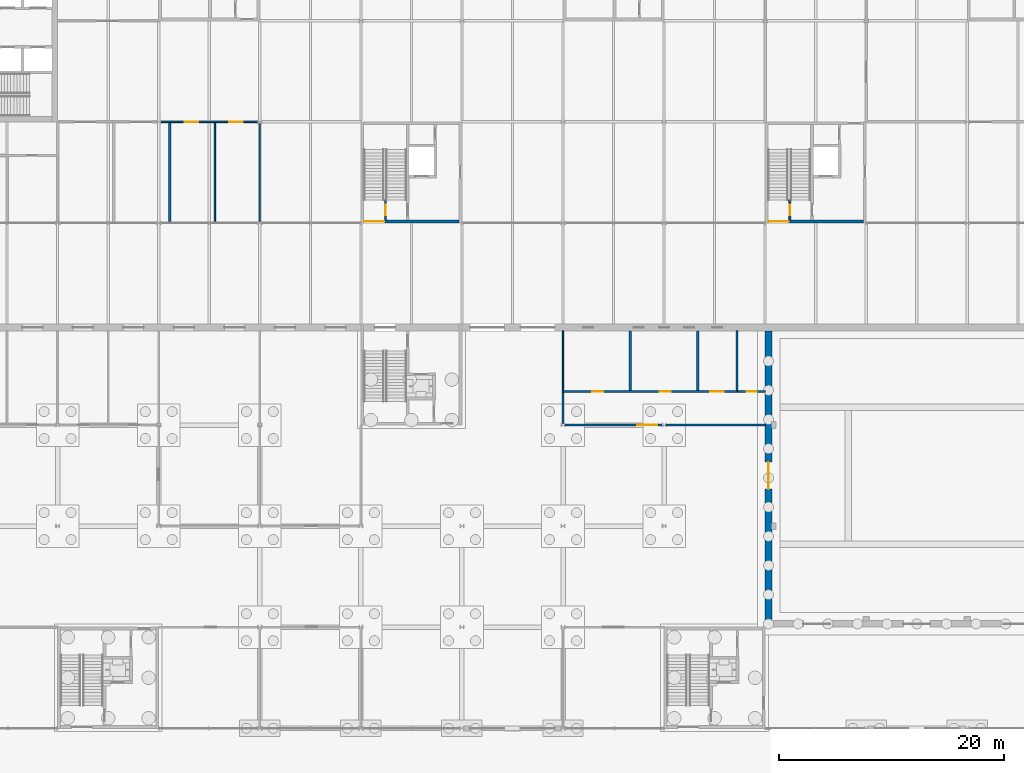
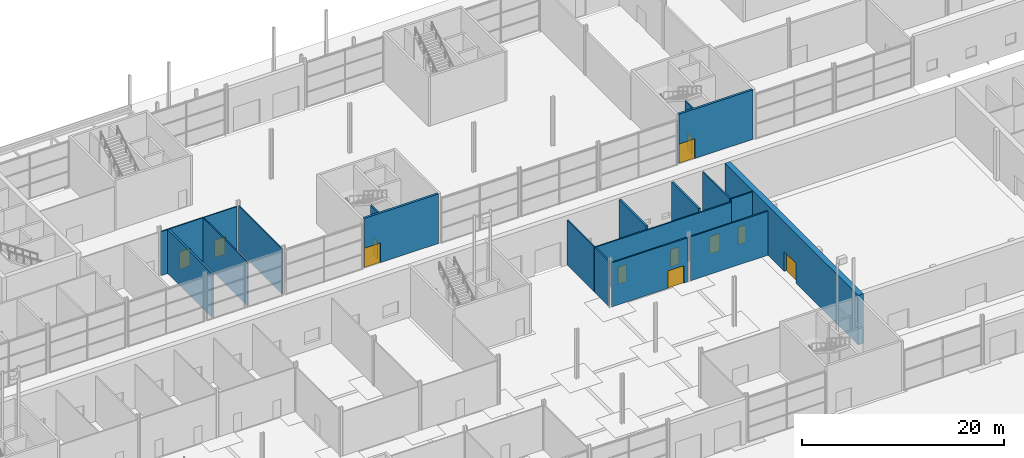
# One storey, part 71 of 97: 18 walls, 12 doors, 12 openings.
"""IFC4 building model written with IfcOpenShell, lengths in metres."""

from ifc_helpers import new_model, si_unit, direction, frame, frame_2d, origin, place, context, subcontext, project, spatial, rectangle, extrude, material, layer, layer_set, type_object, element, fill, save


model = new_model("IFC4")

# Units and contexts
model_context = context("Model", 3, precision=1e-05, world=origin(), true_north=direction((0.0, 1.0)))
body_context = subcontext(model_context, "Body", "Model", "MODEL_VIEW")
ifc_project = project(units=[si_unit("LENGTHUNIT", "METRE"), si_unit("AREAUNIT", "SQUARE_METRE"), si_unit("VOLUMEUNIT", "CUBIC_METRE"), si_unit("PLANEANGLEUNIT", "RADIAN"), si_unit("MASSUNIT", "GRAM", prefix="KILO")], contexts=[model_context])

# Site, building, storey
site_placement = place(None, origin())
site = spatial("IfcSite", under=ifc_project, at=site_placement, CompositionType="ELEMENT")
building_placement = place(site_placement, origin())
building = spatial("IfcBuilding", under=site, at=building_placement, Name="Corbel Yard City Hall", CompositionType="ELEMENT")
storey_placement = place(building_placement, origin())
storey = spatial("IfcBuildingStorey", under=building, at=storey_placement, Name="L00", CompositionType="ELEMENT", Elevation=0.0)

# Wall, opening, door
ifc_material_1 = material(Name="Concrete N50 (50 MPa)", Category="concrete")
ifc_layer_1 = layer(ifc_material_1, 0.60009765625)
ifc_layer_set_1 = layer_set([ifc_layer_1], Name="Concrete N50 (50 MPa)")
wall_type_1 = type_object("IfcWallType", Name="Chamber wall 600", PredefinedType="SHEAR", material=ifc_layer_set_1)
wall_1_placement = place(storey_placement, frame((117.300048828125, 54.0, 0.0), z_axis=(0.0, 0.0, 1.0), x_axis=(0.0, 1.0, 0.0)))
wall_1 = element("IfcWall", 1, at=wall_1_placement, inside=storey, type_object=wall_type_1, Name="Chamber west wall", PredefinedType="SHEAR", context=body_context, shape_type="SweptSolid", body=[
    extrude(rectangle(XDim=26.39990234375, YDim=0.60009765625, at=frame_2d((13.199951171875, 0.0))), origin(), (0.0, 0.0, 1.0), 6.0),
])
opening_1_placement = place(wall_1_placement, frame((12.300048828125, 0.0, 0.0)))
opening_1 = element("IfcOpeningElement", 2, at=opening_1_placement, cuts=wall_1, Name="Opening L00-165", PredefinedType="OPENING", context=body_context, shape_type="SweptSolid", body=[
    extrude(rectangle(XDim=2.39990234375, YDim=2.39990234375, at=frame_2d((1.199951171875, 1.199951171875))), frame((0.0, 0.31005859375, 0.0), z_axis=(0.0, -1.0, 0.0), x_axis=(1.0, 0.0, 0.0)), (0.0, 0.0, 1.0), 0.6201171875),
])
ifc_material_2 = material(Name="Steel Grade G250", Category="steel")
door_type_1 = type_object("IfcDoorType", Name="FS9", OperationType="DOUBLE_DOOR_SINGLE_SWING", PredefinedType="DOOR", material=ifc_material_2)
door_1_placement = place(opening_1_placement, origin())
door_1 = element("IfcDoor", 3, at=door_1_placement, inside=storey, type_object=door_type_1, Name="Door Council Chamber West Aisle", OperationType="DOUBLE_DOOR_SINGLE_SWING", OverallHeight=2.39990234375, OverallWidth=2.39990234375, PredefinedType="DOOR", context=body_context, shape_type="SweptSolid", body=[
    extrude(rectangle(XDim=2.39990234375, YDim=2.39990234375, at=frame_2d((1.199951171875, 1.199951171875))), frame((0.0, 0.02490234375, 0.0), z_axis=(0.0, -1.0, 0.0), x_axis=(1.0, 0.0, 0.0)), (0.0, 0.0, 1.0), 0.050048828125),
])
fill(opening_1, door_1)

ifc_layer_2 = layer(ifc_material_1, 0.25)
ifc_layer_set_2 = layer_set([ifc_layer_2], Name="Concrete N50 (50 MPa)")
wall_type_2 = type_object("IfcWallType", Name="Core cell wall 250", PredefinedType="SHEAR", material=ifc_layer_set_2)
wall_2_placement = place(storey_placement, frame((81.25, 90.125, 0.0), z_axis=(0.0, 0.0, 1.0), x_axis=(1.0, 0.0, 0.0)))
wall_2 = element("IfcWall", 4, at=wall_2_placement, inside=storey, type_object=wall_type_2, Name="Core PC-N5 south wall", PredefinedType="SHEAR", context=body_context, shape_type="SweptSolid", body=[
    extrude(rectangle(XDim=8.5, YDim=0.25, at=frame_2d((4.25, 0.0))), origin(), (0.0, 0.0, 1.0), 6.0),
])
opening_2_placement = place(wall_2_placement, frame((0.050048828125, 0.0, 0.0)))
opening_2 = element("IfcOpeningElement", 5, at=opening_2_placement, cuts=wall_2, Name="Opening L00-049", PredefinedType="OPENING", context=body_context, shape_type="SweptSolid", body=[
    extrude(rectangle(XDim=1.800048828125, YDim=2.39990234375, at=frame_2d((0.89990234375, 1.199951171875))), frame((0.0, 0.135009765625, 0.0), z_axis=(0.0, -1.0, 0.0), x_axis=(1.0, 0.0, 0.0)), (0.0, 0.0, 1.0), 0.27001953125),
])
ifc_material_3 = material(Name="Steel Grade G250, insulated infill", Category="steel")
door_type_2 = type_object("IfcDoorType", Name="XD2", OperationType="DOUBLE_DOOR_SINGLE_SWING", PredefinedType="DOOR", material=ifc_material_3)
door_2_placement = place(opening_2_placement, frame((1.800048828125, 0.0, 0.0), z_axis=(0.0, 0.0, 1.0), x_axis=(-1.0, 0.0, 0.0)))
door_2 = element("IfcDoor", 6, at=door_2_placement, inside=storey, type_object=door_type_2, Name="Stair exit door PC-N5", OperationType="DOUBLE_DOOR_SINGLE_SWING", OverallHeight=2.39990234375, OverallWidth=1.800048828125, PredefinedType="DOOR", context=body_context, shape_type="SweptSolid", body=[
    extrude(rectangle(XDim=1.800048828125, YDim=2.39990234375, at=frame_2d((0.89990234375, 1.199951171875))), frame((0.0, 0.02490234375, 0.0), z_axis=(0.0, -1.0, 0.0), x_axis=(1.0, 0.0, 0.0)), (0.0, 0.0, 1.0), 0.050048828125),
])
fill(opening_2, door_2)

wall_3_placement = place(storey_placement, frame((117.25, 90.125, 0.0), z_axis=(0.0, 0.0, 1.0), x_axis=(1.0, 0.0, 0.0)))
wall_3 = element("IfcWall", 7, at=wall_3_placement, inside=storey, type_object=wall_type_2, Name="Core PC-N6 south wall", PredefinedType="SHEAR", context=body_context, shape_type="SweptSolid", body=[
    extrude(rectangle(XDim=8.5, YDim=0.25, at=frame_2d((4.25, 0.0))), origin(), (0.0, 0.0, 1.0), 6.0),
])
opening_3_placement = place(wall_3_placement, frame((0.050048828125, 0.0, 0.0)))
opening_3 = element("IfcOpeningElement", 8, at=opening_3_placement, cuts=wall_3, Name="Opening L00-050", PredefinedType="OPENING", context=body_context, shape_type="SweptSolid", body=[
    extrude(rectangle(XDim=1.800048828125, YDim=2.39990234375, at=frame_2d((0.89990234375, 1.199951171875))), frame((0.0, 0.135009765625, 0.0), z_axis=(0.0, -1.0, 0.0), x_axis=(1.0, 0.0, 0.0)), (0.0, 0.0, 1.0), 0.27001953125),
])
door_3_placement = place(opening_3_placement, frame((1.800048828125, 0.0, 0.0), z_axis=(0.0, 0.0, 1.0), x_axis=(-1.0, 0.0, 0.0)))
door_3 = element("IfcDoor", 9, at=door_3_placement, inside=storey, type_object=door_type_2, Name="Stair exit door PC-N6", OperationType="DOUBLE_DOOR_SINGLE_SWING", OverallHeight=2.39990234375, OverallWidth=1.800048828125, PredefinedType="DOOR", context=body_context, shape_type="SweptSolid", body=[
    extrude(rectangle(XDim=1.800048828125, YDim=2.39990234375, at=frame_2d((0.89990234375, 1.199951171875))), frame((0.0, 0.02490234375, 0.0), z_axis=(0.0, -1.0, 0.0), x_axis=(1.0, 0.0, 0.0)), (0.0, 0.0, 1.0), 0.050048828125),
])
fill(opening_3, door_3)

# Wall
ifc_material_4 = material(Name="Gypsum plasterboard", Category="gypsum")
ifc_layer_3 = layer(ifc_material_4, 0.028076171875)
ifc_material_5 = material(Name="Steel Grade G550 (550 MPa yield)", Category="steel")
ifc_layer_4 = layer(ifc_material_5, 0.06396484375)
ifc_layer_5 = layer(ifc_material_4, 0.028076171875)
ifc_layer_set_3 = layer_set([ifc_layer_3, ifc_layer_4, ifc_layer_5], Name="Steel Grade G550 (550 MPa yield)")
wall_type_3 = type_object("IfcWallType", Name="PT1", PredefinedType="PARTITIONING", material=ifc_layer_set_3)
wall_4_placement = place(storey_placement, frame((99.0, 75.080078125, 0.0), z_axis=(0.0, 0.0, 1.0), x_axis=(0.0, 1.0, 0.0)))
element("IfcWall", 10, at=wall_4_placement, inside=storey, type_object=wall_type_3, Name="Partition", PredefinedType="PARTITIONING", context=body_context, shape_type="SweptSolid", body=[
    extrude(rectangle(XDim=5.31982421875, YDim=0.1201171875, at=frame_2d((2.659912109375, 0.0))), origin(), (0.0, 0.0, 1.0), 5.447021484375),
])

# Wall, openings, doors
wall_5_placement = place(storey_placement, frame((63.16357421875, 99.0, 0.0), z_axis=(0.0, 0.0, 1.0), x_axis=(1.0, 0.0, 0.0)))
wall_5 = element("IfcWall", 11, at=wall_5_placement, inside=storey, type_object=wall_type_3, Name="Partition", PredefinedType="PARTITIONING", context=body_context, shape_type="SweptSolid", body=[
    extrude(rectangle(XDim=8.6728515625, YDim=0.1201171875, at=frame_2d((4.33642578125, 0.0))), origin(), (0.0, 0.0, 1.0), 5.322021484375),
])
opening_4_placement = place(wall_5_placement, frame((2.136474609375, 0.0, 0.0)))
opening_4 = element("IfcOpeningElement", 12, at=opening_4_placement, cuts=wall_5, Name="Opening L00-227", PredefinedType="OPENING", context=body_context, shape_type="SweptSolid", body=[
    extrude(rectangle(XDim=1.199951171875, YDim=2.10009765625, at=frame_2d((0.60009765625, 1.050048828125))), frame((0.0, 0.070068359375, 0.0), z_axis=(0.0, -1.0, 0.0), x_axis=(1.0, 0.0, 0.0)), (0.0, 0.0, 1.0), 0.14013671875),
])
opening_5_placement = place(wall_5_placement, frame((6.136474609375, 0.0, 0.0)))
opening_5 = element("IfcOpeningElement", 13, at=opening_5_placement, cuts=wall_5, Name="Opening L00-228", PredefinedType="OPENING", context=body_context, shape_type="SweptSolid", body=[
    extrude(rectangle(XDim=1.199951171875, YDim=2.10009765625, at=frame_2d((0.60009765625, 1.050048828125))), frame((0.0, 0.070068359375, 0.0), z_axis=(0.0, -1.0, 0.0), x_axis=(1.0, 0.0, 0.0)), (0.0, 0.0, 1.0), 0.14013671875),
])
ifc_material_6 = material(Name="Timber", Category="wood")
door_type_3 = type_object("IfcDoorType", Name="D7", OperationType="SINGLE_SWING_LEFT", PredefinedType="DOOR", material=ifc_material_6)
door_4_placement = place(opening_4_placement, frame((1.199951171875, 0.0, 0.0), z_axis=(0.0, 0.0, 1.0), x_axis=(-1.0, 0.0, 0.0)))
door_4 = element("IfcDoor", 14, at=door_4_placement, inside=storey, type_object=door_type_3, Name="Door Public Accessible WC", OperationType="SINGLE_SWING_RIGHT", OverallHeight=2.10009765625, OverallWidth=1.199951171875, PredefinedType="DOOR", context=body_context, shape_type="SweptSolid", body=[
    extrude(rectangle(XDim=1.199951171875, YDim=2.10009765625, at=frame_2d((0.60009765625, 1.050048828125))), frame((0.0, 0.02490234375, 0.0), z_axis=(0.0, -1.0, 0.0), x_axis=(1.0, 0.0, 0.0)), (0.0, 0.0, 1.0), 0.050048828125),
])
fill(opening_4, door_4)
door_5_placement = place(opening_5_placement, frame((1.199951171875, 0.0, 0.0), z_axis=(0.0, 0.0, 1.0), x_axis=(-1.0, 0.0, 0.0)))
door_5 = element("IfcDoor", 15, at=door_5_placement, inside=storey, type_object=door_type_3, Name="Door Parents' Room", OperationType="SINGLE_SWING_RIGHT", OverallHeight=2.10009765625, OverallWidth=1.199951171875, PredefinedType="DOOR", context=body_context, shape_type="SweptSolid", body=[
    extrude(rectangle(XDim=1.199951171875, YDim=2.10009765625, at=frame_2d((0.60009765625, 1.050048828125))), frame((0.0, 0.02490234375, 0.0), z_axis=(0.0, -1.0, 0.0), x_axis=(1.0, 0.0, 0.0)), (0.0, 0.0, 1.0), 0.050048828125),
])
fill(opening_5, door_5)

# Walls
wall_6_placement = place(storey_placement, frame((68.0, 90.125, 0.0), z_axis=(0.0, 0.0, 1.0), x_axis=(0.0, 1.0, 0.0)))
element("IfcWall", 16, at=wall_6_placement, inside=storey, type_object=wall_type_3, Name="Partition", PredefinedType="PARTITIONING", context=body_context, shape_type="SweptSolid", body=[
    extrude(rectangle(XDim=8.81494140625, YDim=0.1201171875, at=frame_2d((4.407470703125, 0.0))), origin(), (0.0, 0.0, 1.0), 5.322021484375),
])
wall_7_placement = place(storey_placement, frame((72.0, 90.157470703125, 0.0), z_axis=(0.0, 0.0, 1.0), x_axis=(0.0, 1.0, 0.0)))
element("IfcWall", 17, at=wall_7_placement, inside=storey, type_object=wall_type_3, Name="Partition", PredefinedType="PARTITIONING", context=body_context, shape_type="SweptSolid", body=[
    extrude(rectangle(XDim=8.678955078125, YDim=0.1201171875, at=frame_2d((4.33935546875, 0.0))), origin(), (0.0, 0.0, 1.0), 5.447021484375),
])

# Wall, opening, door
ifc_layer_6 = layer(ifc_material_4, 0.031982421875)
ifc_layer_7 = layer(ifc_material_5, 0.095947265625)
ifc_layer_8 = layer(ifc_material_4, 0.031982421875)
ifc_layer_set_4 = layer_set([ifc_layer_6, ifc_layer_7, ifc_layer_8], Name="Steel Grade G550 (550 MPa yield)")
wall_type_4 = type_object("IfcWallType", Name="PT3", PredefinedType="PARTITIONING", material=ifc_layer_set_4)
wall_8_placement = place(storey_placement, frame((99.16357421875, 72.0, 0.0), z_axis=(0.0, 0.0, 1.0), x_axis=(1.0, 0.0, 0.0)))
wall_8 = element("IfcWall", 18, at=wall_8_placement, inside=storey, type_object=wall_type_4, Name="Fire-resisting wall", PredefinedType="PARTITIONING", context=body_context, shape_type="SweptSolid", body=[
    extrude(rectangle(XDim=8.6728515625, YDim=0.159912109375, at=frame_2d((4.33642578125, 0.0))), origin(), (0.0, 0.0, 1.0), 5.322021484375),
])
opening_6_placement = place(wall_8_placement, frame((6.4365234375, 0.0, 0.0)))
opening_6 = element("IfcOpeningElement", 19, at=opening_6_placement, cuts=wall_8, Name="Opening L00-150", PredefinedType="OPENING", context=body_context, shape_type="SweptSolid", body=[
    extrude(rectangle(XDim=1.800048828125, YDim=2.10009765625, at=frame_2d((0.89990234375, 1.050048828125))), frame((0.0, 0.08984375, 0.0), z_axis=(0.0, -1.0, 0.0), x_axis=(1.0, 0.0, 0.0)), (0.0, 0.0, 1.0), 0.179931640625),
])
door_type_4 = type_object("IfcDoorType", Name="FD3", OperationType="DOUBLE_DOOR_SINGLE_SWING", PredefinedType="DOOR", material=ifc_material_2)
door_6_placement = place(opening_6_placement, origin())
door_6 = element("IfcDoor", 20, at=door_6_placement, inside=storey, type_object=door_type_4, Name="Door WC Lobby", OperationType="DOUBLE_DOOR_SINGLE_SWING", OverallHeight=2.10009765625, OverallWidth=1.800048828125, PredefinedType="DOOR", context=body_context, shape_type="SweptSolid", body=[
    extrude(rectangle(XDim=1.800048828125, YDim=2.10009765625, at=frame_2d((0.89990234375, 1.050048828125))), frame((0.0, 0.02490234375, 0.0), z_axis=(0.0, -1.0, 0.0), x_axis=(1.0, 0.0, 0.0)), (0.0, 0.0, 1.0), 0.050048828125),
])
fill(opening_6, door_6)

# Wall
wall_9_placement = place(storey_placement, frame((108.16357421875, 72.0, 0.0), z_axis=(0.0, 0.0, 1.0), x_axis=(1.0, 0.0, 0.0)))
element("IfcWall", 21, at=wall_9_placement, inside=storey, type_object=wall_type_4, Name="Fire-resisting wall", PredefinedType="PARTITIONING", context=body_context, shape_type="SweptSolid", body=[
    extrude(rectangle(XDim=8.83642578125, YDim=0.159912109375, at=frame_2d((4.418212890625, 0.0))), origin(), (0.0, 0.0, 1.0), 5.322021484375),
])

# Wall, openings, doors
wall_10_placement = place(storey_placement, frame((98.919921875, 75.0, 0.0), z_axis=(0.0, 0.0, 1.0), x_axis=(1.0, 0.0, 0.0)))
wall_10 = element("IfcWall", 22, at=wall_10_placement, inside=storey, type_object=wall_type_4, Name="Fire-resisting wall", PredefinedType="PARTITIONING", context=body_context, shape_type="SweptSolid", body=[
    extrude(rectangle(XDim=15.66015625, YDim=0.159912109375, at=frame_2d((7.830078125, 0.0))), origin(), (0.0, 0.0, 1.0), 5.447021484375),
])
opening_7_placement = place(wall_10_placement, frame((2.679931640625, 0.0, 0.0)))
opening_7 = element("IfcOpeningElement", 23, at=opening_7_placement, cuts=wall_10, Name="Opening L00-151", PredefinedType="OPENING", context=body_context, shape_type="SweptSolid", body=[
    extrude(rectangle(XDim=1.0, YDim=2.10009765625, at=frame_2d((0.5, 1.050048828125))), frame((0.0, 0.08984375, 0.0), z_axis=(0.0, -1.0, 0.0), x_axis=(1.0, 0.0, 0.0)), (0.0, 0.0, 1.0), 0.179931640625),
])
opening_8_placement = place(wall_10_placement, frame((8.679931640625, 0.0, 0.0)))
opening_8 = element("IfcOpeningElement", 24, at=opening_8_placement, cuts=wall_10, Name="Opening L00-152", PredefinedType="OPENING", context=body_context, shape_type="SweptSolid", body=[
    extrude(rectangle(XDim=1.0, YDim=2.10009765625, at=frame_2d((0.5, 1.050048828125))), frame((0.0, 0.08984375, 0.0), z_axis=(0.0, -1.0, 0.0), x_axis=(1.0, 0.0, 0.0)), (0.0, 0.0, 1.0), 0.179931640625),
])
opening_9_placement = place(wall_10_placement, frame((13.179931640625, 0.0, 0.0)))
opening_9 = element("IfcOpeningElement", 25, at=opening_9_placement, cuts=wall_10, Name="Opening L00-153", PredefinedType="OPENING", context=body_context, shape_type="SweptSolid", body=[
    extrude(rectangle(XDim=1.199951171875, YDim=2.10009765625, at=frame_2d((0.60009765625, 1.050048828125))), frame((0.0, 0.08984375, 0.0), z_axis=(0.0, -1.0, 0.0), x_axis=(1.0, 0.0, 0.0)), (0.0, 0.0, 1.0), 0.179931640625),
])
door_type_5 = type_object("IfcDoorType", Name="FD1", OperationType="SINGLE_SWING_LEFT", PredefinedType="DOOR", material=ifc_material_2)
door_7_placement = place(opening_7_placement, origin())
door_7 = element("IfcDoor", 26, at=door_7_placement, inside=storey, type_object=door_type_5, Name="Door Women's WC", OperationType="SINGLE_SWING_RIGHT", OverallHeight=2.10009765625, OverallWidth=1.0, PredefinedType="DOOR", context=body_context, shape_type="SweptSolid", body=[
    extrude(rectangle(XDim=1.0, YDim=2.10009765625, at=frame_2d((0.5, 1.050048828125))), frame((0.0, 0.02490234375, 0.0), z_axis=(0.0, -1.0, 0.0), x_axis=(1.0, 0.0, 0.0)), (0.0, 0.0, 1.0), 0.050048828125),
])
fill(opening_7, door_7)
door_8_placement = place(opening_8_placement, origin())
door_8 = element("IfcDoor", 27, at=door_8_placement, inside=storey, type_object=door_type_5, Name="Door Men's WC", OperationType="SINGLE_SWING_RIGHT", OverallHeight=2.10009765625, OverallWidth=1.0, PredefinedType="DOOR", context=body_context, shape_type="SweptSolid", body=[
    extrude(rectangle(XDim=1.0, YDim=2.10009765625, at=frame_2d((0.5, 1.050048828125))), frame((0.0, 0.02490234375, 0.0), z_axis=(0.0, -1.0, 0.0), x_axis=(1.0, 0.0, 0.0)), (0.0, 0.0, 1.0), 0.050048828125),
])
fill(opening_8, door_8)
door_type_6 = type_object("IfcDoorType", Name="FD7", OperationType="SINGLE_SWING_LEFT", PredefinedType="DOOR", material=ifc_material_2)
door_9_placement = place(opening_9_placement, origin())
door_9 = element("IfcDoor", 28, at=door_9_placement, inside=storey, type_object=door_type_6, Name="Door Accessible WC", OperationType="SINGLE_SWING_LEFT", OverallHeight=2.10009765625, OverallWidth=1.199951171875, PredefinedType="DOOR", context=body_context, shape_type="SweptSolid", body=[
    extrude(rectangle(XDim=1.199951171875, YDim=2.10009765625, at=frame_2d((0.60009765625, 1.050048828125))), frame((0.0, 0.02490234375, 0.0), z_axis=(0.0, -1.0, 0.0), x_axis=(1.0, 0.0, 0.0)), (0.0, 0.0, 1.0), 0.050048828125),
])
fill(opening_9, door_9)

# Wall, opening, door
wall_11_placement = place(storey_placement, frame((114.580078125, 75.0, 0.0), z_axis=(0.0, 0.0, 1.0), x_axis=(1.0, 0.0, 0.0)))
wall_11 = element("IfcWall", 29, at=wall_11_placement, inside=storey, type_object=wall_type_4, Name="Fire-resisting wall", PredefinedType="PARTITIONING", context=body_context, shape_type="SweptSolid", body=[
    extrude(rectangle(XDim=2.419921875, YDim=0.159912109375, at=frame_2d((1.2099609375, 0.0))), origin(), (0.0, 0.0, 1.0), 5.85009765625),
])
opening_10_placement = place(wall_11_placement, frame((0.77001953125, 0.0, 0.0)))
opening_10 = element("IfcOpeningElement", 30, at=opening_10_placement, cuts=wall_11, Name="Opening L00-154", PredefinedType="OPENING", context=body_context, shape_type="SweptSolid", body=[
    extrude(rectangle(XDim=0.919921875, YDim=2.10009765625, at=frame_2d((0.4599609375, 1.050048828125))), frame((0.0, 0.08984375, 0.0), z_axis=(0.0, -1.0, 0.0), x_axis=(1.0, 0.0, 0.0)), (0.0, 0.0, 1.0), 0.179931640625),
])
door_type_7 = type_object("IfcDoorType", Name="FD5", OperationType="SINGLE_SWING_RIGHT", PredefinedType="DOOR", material=ifc_material_2)
door_10_placement = place(opening_10_placement, origin())
door_10 = element("IfcDoor", 31, at=door_10_placement, inside=storey, type_object=door_type_7, Name="Door Cleaners' Store", OperationType="SINGLE_SWING_LEFT", OverallHeight=2.10009765625, OverallWidth=0.919921875, PredefinedType="DOOR", context=body_context, shape_type="SweptSolid", body=[
    extrude(rectangle(XDim=0.919921875, YDim=2.10009765625, at=frame_2d((0.4599609375, 1.050048828125))), frame((0.0, 0.02490234375, 0.0), z_axis=(0.0, -1.0, 0.0), x_axis=(1.0, 0.0, 0.0)), (0.0, 0.0, 1.0), 0.050048828125),
])
fill(opening_10, door_10)

# Walls
wall_12_placement = place(storey_placement, frame((99.0, 72.16357421875, 0.0), z_axis=(0.0, 0.0, 1.0), x_axis=(0.0, 1.0, 0.0)))
element("IfcWall", 32, at=wall_12_placement, inside=storey, type_object=wall_type_4, Name="Fire-resisting wall", PredefinedType="PARTITIONING", context=body_context, shape_type="SweptSolid", body=[
    extrude(rectangle(XDim=2.75634765625, YDim=0.159912109375, at=frame_2d((1.378173828125, 0.0))), origin(), (0.0, 0.0, 1.0), 5.447021484375),
])
wall_13_placement = place(storey_placement, frame((114.5, 75.080078125, 0.0), z_axis=(0.0, 0.0, 1.0), x_axis=(0.0, 1.0, 0.0)))
element("IfcWall", 33, at=wall_13_placement, inside=storey, type_object=wall_type_4, Name="Fire-resisting wall", PredefinedType="PARTITIONING", context=body_context, shape_type="SweptSolid", body=[
    extrude(rectangle(XDim=5.31982421875, YDim=0.159912109375, at=frame_2d((2.659912109375, 0.0))), origin(), (0.0, 0.0, 1.0), 5.85009765625),
])

# Wall, opening, door
wall_14_placement = place(storey_placement, frame((83.199951171875, 90.25, 0.0), z_axis=(0.0, 0.0, 1.0), x_axis=(0.0, 1.0, 0.0)))
wall_14 = element("IfcWall", 34, at=wall_14_placement, inside=storey, type_object=wall_type_4, Name="Stair screen wall", PredefinedType="PARTITIONING", context=body_context, shape_type="SweptSolid", body=[
    extrude(rectangle(XDim=1.800048828125, YDim=0.159912109375, at=frame_2d((0.89990234375, 0.0))), origin(), (0.0, 0.0, 1.0), 5.75),
])
opening_11_placement = place(wall_14_placement, frame((0.43994140625, 0.0, 0.0)))
opening_11 = element("IfcOpeningElement", 35, at=opening_11_placement, cuts=wall_14, Name="Opening L00-206", PredefinedType="OPENING", context=body_context, shape_type="SweptSolid", body=[
    extrude(rectangle(XDim=0.919921875, YDim=2.10009765625, at=frame_2d((0.4599609375, 1.050048828125))), frame((0.0, 0.08984375, 0.0), z_axis=(0.0, -1.0, 0.0), x_axis=(1.0, 0.0, 0.0)), (0.0, 0.0, 1.0), 0.179931640625),
])
door_11_placement = place(opening_11_placement, origin())
door_11 = element("IfcDoor", 36, at=door_11_placement, inside=storey, type_object=door_type_7, Name="Door stair screen", OperationType="SINGLE_SWING_LEFT", OverallHeight=2.10009765625, OverallWidth=0.919921875, PredefinedType="DOOR", context=body_context, shape_type="SweptSolid", body=[
    extrude(rectangle(XDim=0.919921875, YDim=2.10009765625, at=frame_2d((0.4599609375, 1.050048828125))), frame((0.0, 0.02490234375, 0.0), z_axis=(0.0, -1.0, 0.0), x_axis=(1.0, 0.0, 0.0)), (0.0, 0.0, 1.0), 0.050048828125),
])
fill(opening_11, door_11)

wall_15_placement = place(storey_placement, frame((119.199951171875, 90.25, 0.0), z_axis=(0.0, 0.0, 1.0), x_axis=(0.0, 1.0, 0.0)))
wall_15 = element("IfcWall", 37, at=wall_15_placement, inside=storey, type_object=wall_type_4, Name="Stair screen wall", PredefinedType="PARTITIONING", context=body_context, shape_type="SweptSolid", body=[
    extrude(rectangle(XDim=1.800048828125, YDim=0.159912109375, at=frame_2d((0.89990234375, 0.0))), origin(), (0.0, 0.0, 1.0), 5.75),
])
opening_12_placement = place(wall_15_placement, frame((0.43994140625, 0.0, 0.0)))
opening_12 = element("IfcOpeningElement", 38, at=opening_12_placement, cuts=wall_15, Name="Opening L00-209", PredefinedType="OPENING", context=body_context, shape_type="SweptSolid", body=[
    extrude(rectangle(XDim=0.919921875, YDim=2.10009765625, at=frame_2d((0.4599609375, 1.050048828125))), frame((0.0, 0.08984375, 0.0), z_axis=(0.0, -1.0, 0.0), x_axis=(1.0, 0.0, 0.0)), (0.0, 0.0, 1.0), 0.179931640625),
])
door_12_placement = place(opening_12_placement, origin())
door_12 = element("IfcDoor", 39, at=door_12_placement, inside=storey, type_object=door_type_7, Name="Door stair screen", OperationType="SINGLE_SWING_LEFT", OverallHeight=2.10009765625, OverallWidth=0.919921875, PredefinedType="DOOR", context=body_context, shape_type="SweptSolid", body=[
    extrude(rectangle(XDim=0.919921875, YDim=2.10009765625, at=frame_2d((0.4599609375, 1.050048828125))), frame((0.0, 0.02490234375, 0.0), z_axis=(0.0, -1.0, 0.0), x_axis=(1.0, 0.0, 0.0)), (0.0, 0.0, 1.0), 0.050048828125),
])
fill(opening_12, door_12)

# Walls
ifc_layer_9 = layer(ifc_material_4, 0.031982421875)
ifc_layer_10 = layer(ifc_material_5, 0.156005859375)
ifc_layer_11 = layer(ifc_material_4, 0.031982421875)
ifc_layer_set_5 = layer_set([ifc_layer_9, ifc_layer_10, ifc_layer_11], Name="Steel Grade G550 (550 MPa yield)")
wall_type_5 = type_object("IfcWallType", Name="PT5", PredefinedType="PLUMBINGWALL", material=ifc_layer_set_5)
for number, where, z_axis, x_axis, name in (
    (40, (105.0, 75.080078125, 0.0), (0.0, 0.0, 1.0), (0.0, 1.0, 0.0), "Wet wall"),
    (41, (111.0, 75.080078125, 0.0), (0.0, 0.0, 1.0), (0.0, 1.0, 0.0), "Wet wall"),
):
    element("IfcWall", number, at=place(storey_placement, frame(where, z_axis=z_axis, x_axis=x_axis)), inside=storey, type_object=wall_type_5, Name=name, PredefinedType="PLUMBINGWALL", context=body_context, shape_type="SweptSolid", body=[
        extrude(rectangle(XDim=5.31982421875, YDim=0.219970703125, at=frame_2d((2.659912109375, 0.0))), origin(), (0.0, 0.0, 1.0), 5.85009765625),
    ])
wall_16_placement = place(storey_placement, frame((64.0, 90.125, 0.0), z_axis=(0.0, 0.0, 1.0), x_axis=(0.0, 1.0, 0.0)))
element("IfcWall", 42, at=wall_16_placement, inside=storey, type_object=wall_type_5, Name="Wet wall", PredefinedType="PLUMBINGWALL", context=body_context, shape_type="SweptSolid", body=[
    extrude(rectangle(XDim=8.81494140625, YDim=0.219970703125, at=frame_2d((4.407470703125, 0.0))), origin(), (0.0, 0.0, 1.0), 5.322021484375),
])

save(model, "model.ifc")
